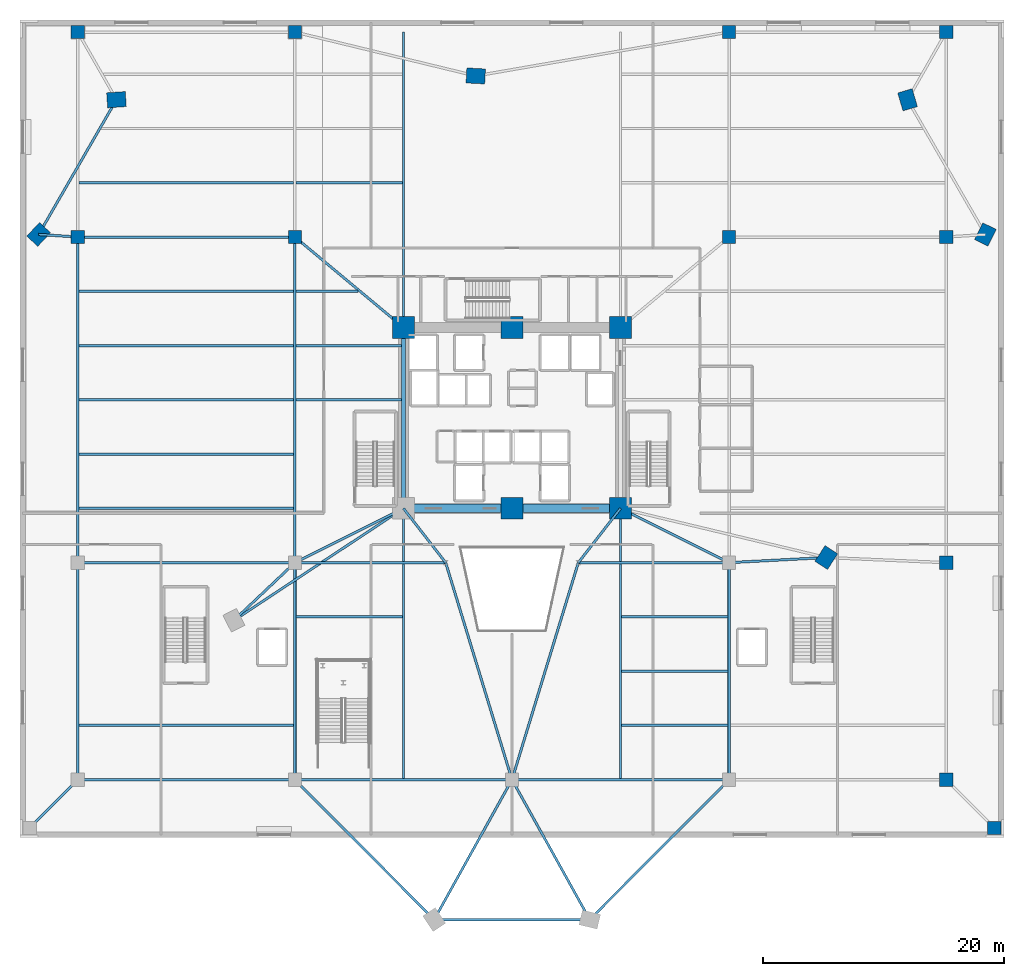
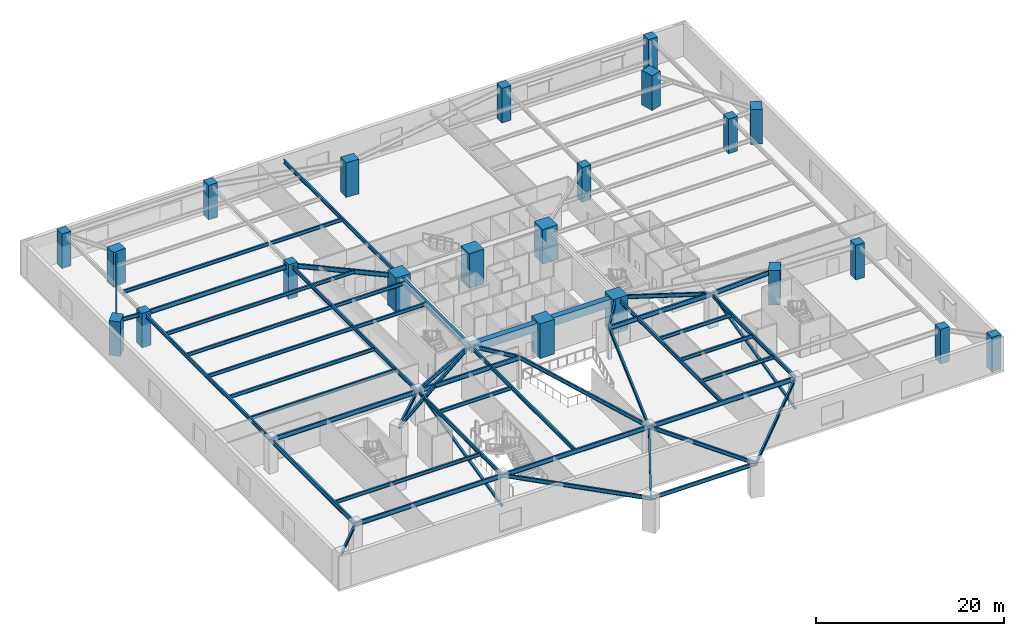
# One storey, part 3 of 16: 51 beams, 22 columns, 2 members.
"""IFC4 building model written with IfcOpenShell, lengths in metres."""

import ifcopenshell
import ifcopenshell.guid

model = None  # the IFC model being written
_history = None  # IfcOwnerHistory: only IFC2X3 demands one
_inside = {}  # id of a spatial element -> (the spatial element, [elements in it])
_under = {}  # id of a project, library or spatial element -> (it, [spatial elements below it])
_declared = {}  # id of a project -> (the project, [libraries it declares])
_typed = {}  # id of a type object -> (the type object, [elements of that type])
_made_of = {}  # id of a material, layer set ... -> (it, [elements and type objects made of it])


def new_model(schema):
    """Start an empty IFC model of exactly this schema.

    Asked for "IFC4X3", IfcOpenShell would pick the latest addendum, in which some entities
    have other attributes; the version numbers below select the first issue.
    IFC2X3 requires an IfcOwnerHistory on every rooted entity: one is made here for all.
    """
    global model, _history
    if schema == "IFC4X3":
        model = ifcopenshell.file(schema_version=(4, 3, 0, 0))
    else:
        model = ifcopenshell.file(schema=schema)
    _inside.clear()
    _under.clear()
    _declared.clear()
    _typed.clear()
    _made_of.clear()
    _history = None
    if model.schema == "IFC2X3":
        org = make("IfcOrganization", Name="unknown")
        user = make(
            "IfcPersonAndOrganization",
            ThePerson=make("IfcPerson", FamilyName="unknown"),
            TheOrganization=org,
        )
        app = make(
            "IfcApplication",
            ApplicationDeveloper=org,
            Version="unknown",
            ApplicationFullName="unknown",
            ApplicationIdentifier="unknown",
        )
        _history = make(
            "IfcOwnerHistory",
            OwningUser=user,
            OwningApplication=app,
            ChangeAction="ADDED",
            CreationDate=0,
        )
    return model


def make(cls, **values):
    """One entity of the class cls with the attributes given. An attribute that is None is left unset."""
    return model.create_entity(
        cls, **{name: value for name, value in values.items() if value is not None}
    )


def rooted(cls, **values):
    """An entity with a GlobalId (a new one), such as an element, a storey or a relation."""
    return make(cls, GlobalId=ifcopenshell.guid.new(), OwnerHistory=_history, **values)


def si_unit(unit_type, name, prefix=None):
    """IfcSIUnit, for example si_unit("LENGTHUNIT", "METRE", prefix="MILLI")."""
    return make("IfcSIUnit", UnitType=unit_type, Prefix=prefix, Name=name)


def assignment(units):
    """IfcUnitAssignment: the units of a project."""
    return None if units is None else make("IfcUnitAssignment", Units=units)


def point(xyz):
    """IfcCartesianPoint."""
    return None if xyz is None else make("IfcCartesianPoint", Coordinates=xyz)


def direction(xyz):
    """IfcDirection."""
    return None if xyz is None else make("IfcDirection", DirectionRatios=xyz)


def frame(location, z_axis=None, x_axis=None):
    """IfcAxis2Placement3D, a coordinate frame: its origin and axes. An axis left out is left unset."""
    return make(
        "IfcAxis2Placement3D",
        Location=point(location),
        Axis=direction(z_axis),
        RefDirection=direction(x_axis),
    )


def frame_2d(location, x_axis=None):
    """IfcAxis2Placement2D, a coordinate frame in the plane: its origin and x axis."""
    return make(
        "IfcAxis2Placement2D", Location=point(location), RefDirection=direction(x_axis)
    )


def origin():
    """The frame at (0, 0, 0) with its axes left unset."""
    return frame((0.0, 0.0, 0.0))


def origin_2d():
    """The frame at (0, 0) in the plane with its x axis left unset."""
    return frame_2d((0.0, 0.0))


def place(relative_to, where):
    """IfcLocalPlacement: puts the frame where relative to a parent placement (None: the world)."""
    return make(
        "IfcLocalPlacement", PlacementRelTo=relative_to, RelativePlacement=where
    )


def context(
    kind, dimensions, precision=None, world=None, true_north=None, identifier=None
):
    """IfcGeometricRepresentationContext, for example the 3D "Model" context."""
    return make(
        "IfcGeometricRepresentationContext",
        ContextIdentifier=identifier,
        ContextType=kind,
        CoordinateSpaceDimension=dimensions,
        Precision=precision,
        WorldCoordinateSystem=world,
        TrueNorth=true_north,
    )


def subcontext(parent, identifier, kind, view, scale=None):
    """IfcGeometricRepresentationSubContext, for example "Body" below "Model"."""
    return make(
        "IfcGeometricRepresentationSubContext",
        ContextIdentifier=identifier,
        ContextType=kind,
        ParentContext=parent,
        TargetScale=scale,
        TargetView=view,
    )


def project(units=None, contexts=None):
    """IfcProject with its units and contexts."""
    return rooted(
        "IfcProject",
        Name="project",
        RepresentationContexts=contexts,
        UnitsInContext=assignment(units),
    )


def spatial(cls, under=None, at=None, **own):
    """A site, building, storey or space (cls), placed at a placement, below another one or the project."""
    s = rooted(cls, ObjectPlacement=at, **own)
    if under is not None:
        _under.setdefault(under.id(), (under, []))[1].append(s)
    return s


def profile(cls, at=None, kind="AREA", **sizes):
    """A parametric profile (cls). Its sizes go by their IFC names, for example OverallWidth=200.0."""
    return make(cls, ProfileType=kind, Position=at, **sizes)


def rectangle(**sizes):
    """IfcRectangleProfileDef."""
    return profile("IfcRectangleProfileDef", **sizes)


def hollow_rectangle(**sizes):
    """IfcRectangleHollowProfileDef."""
    return profile("IfcRectangleHollowProfileDef", **sizes)


def i_section(**sizes):
    """IfcIShapeProfileDef."""
    return profile("IfcIShapeProfileDef", **sizes)


def extrude(swept, where, along, depth):
    """IfcExtrudedAreaSolid: the profile swept, set in the frame where, extruded along a direction by depth."""
    return make(
        "IfcExtrudedAreaSolid",
        SweptArea=swept,
        Position=where,
        ExtrudedDirection=direction(along),
        Depth=depth,
    )


def shape(context_of_items, identifier, shape_type, items):
    """IfcShapeRepresentation: the items that make up one representation, for example the "Body"."""
    return make(
        "IfcShapeRepresentation",
        ContextOfItems=context_of_items,
        RepresentationIdentifier=identifier,
        RepresentationType=shape_type,
        Items=items,
    )


def source(mapping_origin, context_of_items, identifier, shape_type, items):
    """IfcRepresentationMap: a shape defined once, which mapped items show again and again."""
    return make(
        "IfcRepresentationMap",
        MappingOrigin=mapping_origin,
        MappedRepresentation=shape(context_of_items, identifier, shape_type, items),
    )


def transform(
    local_origin,
    x_axis=None,
    y_axis=None,
    z_axis=None,
    scale=None,
    scale2=None,
    scale3=None,
    uniform=True,
):
    """IfcCartesianTransformationOperator3D, or its non-uniform kind. x_axis, y_axis, z_axis: its Axis1, 2, 3."""
    if uniform:
        return make(
            "IfcCartesianTransformationOperator3D",
            Axis1=direction(x_axis),
            Axis2=direction(y_axis),
            LocalOrigin=point(local_origin),
            Scale=scale,
            Axis3=direction(z_axis),
        )
    return make(
        "IfcCartesianTransformationOperator3DnonUniform",
        Axis1=direction(x_axis),
        Axis2=direction(y_axis),
        LocalOrigin=point(local_origin),
        Scale=scale,
        Axis3=direction(z_axis),
        Scale2=scale2,
        Scale3=scale3,
    )


def mapped(mapping_source, mapping_target):
    """IfcMappedItem: shows the shape of a source again, moved by a transform."""
    return make(
        "IfcMappedItem", MappingSource=mapping_source, MappingTarget=mapping_target
    )


def material(Name=None, Category=None):
    """IfcMaterial."""
    return make("IfcMaterial", Name=Name, Category=Category)


def material_profile(
    of_material, cross_section, Name=None, Category=None, Priority=None
):
    """IfcMaterialProfile: a cross section and its material."""
    return make(
        "IfcMaterialProfile",
        Name=Name,
        Material=of_material,
        Profile=cross_section,
        Priority=Priority,
        Category=Category,
    )


def profile_set(profiles, Name=None, composite=None):
    """IfcMaterialProfileSet."""
    return make(
        "IfcMaterialProfileSet",
        Name=Name,
        MaterialProfiles=profiles,
        CompositeProfile=composite,
    )


def made_of(thing, what):
    """Note that an element or type object is made of a material, layer set ...; save() writes the relation."""
    if what is not None:
        _made_of.setdefault(what.id(), (what, []))[1].append(thing)
    return thing


def type_object(cls, material=None, **own):
    """A type object (cls), such as IfcWallType, which elements share."""
    return made_of(rooted(cls, **own), material)


def element(
    cls,
    number,
    at=None,
    inside=None,
    cuts=None,
    type_object=None,
    material=None,
    context=None,
    identifier="Body",
    shape_type=None,
    held_by="IfcProductDefinitionShape",
    body=None,
    shapes=None,
    **own,
):
    """One element of the class cls, such as IfcWall. Its Tag is "e" and its number.

    at: its placement. inside: the storey or other place that contains it. cuts: it is an
    opening in that element (IfcRelVoidsElement). A single representation is given by context,
    identifier, shape_type and body (its items); several are given by shapes. held_by: the class
    of the entity that holds the representations. save() writes the other relations.
    """
    e = rooted(cls, Tag="e%d" % number, ObjectPlacement=at, **own)
    if body is not None:
        shapes = [shape(context, identifier, shape_type, body)]
    if shapes is not None:
        e.Representation = make(held_by, Representations=shapes)
    if inside is not None:
        _inside.setdefault(inside.id(), (inside, []))[1].append(e)
    if cuts is not None:
        rooted(
            "IfcRelVoidsElement", RelatingBuildingElement=cuts, RelatedOpeningElement=e
        )
    if type_object is not None:
        _typed.setdefault(type_object.id(), (type_object, []))[1].append(e)
    return made_of(e, material)


def aggregate(whole, parts):
    """IfcRelAggregates: a whole, such as a stair, and the parts it consists of."""
    return rooted("IfcRelAggregates", RelatingObject=whole, RelatedObjects=parts)


def save(model, path):
    """Write the relations noted so far, then the file.

    IfcRelAggregates (storeys below a building ...), IfcRelContainedInSpatialStructure (elements
    in a storey), IfcRelDefinesByType, IfcRelAssociatesMaterial and IfcRelDeclares: one each for
    every whole, place, type object, material and project.
    """
    for whole, parts in _under.values():
        aggregate(whole, parts)
    for where, things in _inside.values():
        rooted(
            "IfcRelContainedInSpatialStructure",
            RelatedElements=things,
            RelatingStructure=where,
        )
    for kind, things in _typed.values():
        rooted("IfcRelDefinesByType", RelatedObjects=things, RelatingType=kind)
    for what, things in _made_of.values():
        rooted("IfcRelAssociatesMaterial", RelatedObjects=things, RelatingMaterial=what)
    for by, libraries in _declared.values():
        rooted("IfcRelDeclares", RelatingContext=by, RelatedDefinitions=libraries)
    model.write(path)


model = new_model("IFC4")

# Units and contexts
model_context = context("Model", 3, precision=1e-05, world=origin(), true_north=direction((0.0, 1.0)))
body_context = subcontext(model_context, "Body", "Model", "MODEL_VIEW")
ifc_project = project(units=[si_unit("LENGTHUNIT", "METRE"), si_unit("AREAUNIT", "SQUARE_METRE"), si_unit("VOLUMEUNIT", "CUBIC_METRE"), si_unit("PLANEANGLEUNIT", "RADIAN"), si_unit("MASSUNIT", "GRAM", prefix="KILO")], contexts=[model_context])

# Site, building, storey
site_placement = place(None, origin())
site = spatial("IfcSite", under=ifc_project, at=site_placement, CompositionType="ELEMENT")
building_placement = place(site_placement, origin())
building = spatial("IfcBuilding", under=site, at=building_placement, Name="Liaohun Quay Tower", CompositionType="ELEMENT")
storey_placement = place(building_placement, frame((0.0, 0.0, 14.39990234375)))
storey = spatial("IfcBuildingStorey", under=building, at=storey_placement, Name="L04", CompositionType="ELEMENT", Elevation=14.39990234375)

# Columns
ifc_material_1 = material(Name="Concrete C60", Category="concrete")
ifc_material_profile_1 = material_profile(ifc_material_1, rectangle(XDim=1.800048828125, YDim=1.800048828125, at=origin_2d()), Name="RC1800x1800")
ifc_profile_set_1 = profile_set([ifc_material_profile_1], Name="Concrete C60")
column_type_1 = type_object("IfcColumnType", Name="COL-CC-B", PredefinedType="COLUMN", material=ifc_profile_set_1)
shared_shape_1 = source(origin(), body_context, "Body", "SweptSolid", [
    extrude(rectangle(XDim=1.800048828125, YDim=1.800048828125, at=origin_2d()), origin(), (0.0, 0.0, 1.0), 4.5),
])
for number, where, z_axis, x_axis, name in (
    (1, (60.0, 46.5, 0.0), (0.0, 0.0, 1.0), (1.0, 0.0, 0.0), "L04 Core Column CC2"),
    (2, (69.0, 46.5, 0.0), (0.0, 0.0, 1.0), (1.0, 0.0, 0.0), "L04 Core Column CC3"),
    (3, (69.0, 61.5, 0.0), (0.0, 0.0, 1.0), (1.0, 0.0, 0.0), "L04 Core Column CC4"),
    (4, (60.0, 61.5, 0.0), (0.0, 0.0, 1.0), (1.0, 0.0, 0.0), "L04 Core Column CC5"),
    (5, (51.0, 61.5, 0.0), (0.0, 0.0, 1.0), (1.0, 0.0, 0.0), "L04 Core Column CC6"),
):
    element("IfcColumn", number, at=place(storey_placement, frame(where, z_axis=z_axis, x_axis=x_axis)), inside=storey, type_object=column_type_1, Name=name, PredefinedType="COLUMN", context=body_context, shape_type="MappedRepresentation", body=[
        mapped(shared_shape_1, transform((0.0, 0.0, 0.0), x_axis=(1.0, 0.0, 0.0), y_axis=(0.0, 1.0, 0.0), z_axis=(0.0, 0.0, 1.0), scale=1.0)),
    ])
ifc_material_profile_2 = material_profile(ifc_material_1, rectangle(XDim=1.550048828125, YDim=1.25, at=origin_2d()), Name="RC1550x1250")
ifc_profile_set_2 = profile_set([ifc_material_profile_2], Name="Concrete C60")
column_type_2 = type_object("IfcColumnType", Name="COL-PIER-Z1", PredefinedType="COLUMN", material=ifc_profile_set_2)
shared_shape_2 = source(origin(), body_context, "Body", "SweptSolid", [
    extrude(rectangle(XDim=1.550048828125, YDim=1.25, at=origin_2d()), origin(), (0.0, 0.0, 1.0), 4.5),
])
for number, where, z_axis, x_axis, name in (
    (6, (20.748046875, 69.217041015625, 0.0), (0.0, 0.0, 1.0), (0.68936671806, 0.724412539946, 0.0), "L04 Tower Mega-Pier PC03"),
    (7, (27.198974609375, 80.39111328125, 0.0), (0.0, 0.0, 1.0), (0.997824541457, 0.065925597951, 0.0), "L04 Tower Mega-Pier PC05"),
    (8, (92.802978515625, 80.384033203125, 0.0), (0.0, 0.0, 1.0), (-0.282676303383, 0.959215360337, 0.0), "L04 Tower Mega-Pier PC07"),
    (9, (99.256103515625, 69.2119140625, 0.0), (0.0, 0.0, 1.0), (0.441819028143, 0.897104200397, 0.0), "L04 Tower Mega-Pier PC09"),
    (10, (56.9951171875, 82.360107421875, 0.0), (0.0, 0.0, 1.0), (-0.998479491627, 0.055124448298, 0.0), "L04 Tower Mega-Pier PC06"),
    (11, (86.06396484375, 42.423095703125, 0.0), (0.0, 0.0, 1.0), (0.546978918409, 0.837146380758, 0.0), "L04 Tower Mega-Pier PC10"),
):
    element("IfcColumn", number, at=place(storey_placement, frame(where, z_axis=z_axis, x_axis=x_axis)), inside=storey, type_object=column_type_2, Name=name, PredefinedType="COLUMN", context=body_context, shape_type="MappedRepresentation", body=[
        mapped(shared_shape_2, transform((0.0, 0.0, 0.0), x_axis=(1.0, 0.0, 0.0), y_axis=(0.0, 1.0, 0.0), z_axis=(0.0, 0.0, 1.0), scale=1.0)),
    ])
ifc_material_2 = material(Name="Concrete C55", Category="concrete")
ifc_material_profile_3 = material_profile(ifc_material_2, rectangle(XDim=1.10009765625, YDim=1.10009765625, at=origin_2d()), Name="RC1100x1100")
ifc_profile_set_3 = profile_set([ifc_material_profile_3], Name="Concrete C55")
column_type_3 = type_object("IfcColumnType", Name="COL-POD-P", PredefinedType="COLUMN", material=ifc_profile_set_3)
shared_shape_3 = source(origin(), body_context, "Body", "SweptSolid", [
    extrude(rectangle(XDim=1.10009765625, YDim=1.10009765625, at=origin_2d()), origin(), (0.0, 0.0, 1.0), 4.5),
])
for number, where, z_axis, x_axis, name in (
    (12, (96.0, 24.0, 0.0), (0.0, 0.0, 1.0), (1.0, 0.0, 0.0), "L04 Podium Column PG05"),
    (13, (96.0, 42.0, 0.0), (0.0, 0.0, 1.0), (1.0, 0.0, 0.0), "L04 Podium Column PG09"),
    (14, (24.0, 69.0, 0.0), (0.0, 0.0, 1.0), (1.0, 0.0, 0.0), "L04 Podium Column PG10"),
    (15, (42.0, 69.0, 0.0), (0.0, 0.0, 1.0), (1.0, 0.0, 0.0), "L04 Podium Column PG11"),
    (16, (78.0, 69.0, 0.0), (0.0, 0.0, 1.0), (1.0, 0.0, 0.0), "L04 Podium Column PG12"),
    (17, (96.0, 69.0, 0.0), (0.0, 0.0, 1.0), (1.0, 0.0, 0.0), "L04 Podium Column PG13"),
    (18, (24.0, 86.0, 0.0), (0.0, 0.0, 1.0), (1.0, 0.0, 0.0), "L04 Podium Column PG14"),
    (19, (42.0, 86.0, 0.0), (0.0, 0.0, 1.0), (1.0, 0.0, 0.0), "L04 Podium Column PG15"),
    (20, (78.0, 86.0, 0.0), (0.0, 0.0, 1.0), (1.0, 0.0, 0.0), "L04 Podium Column PG17"),
    (21, (96.0, 86.0, 0.0), (0.0, 0.0, 1.0), (1.0, 0.0, 0.0), "L04 Podium Column PG18"),
    (22, (100.0, 20.0, 0.0), (0.0, 0.0, 1.0), (1.0, 0.0, 0.0), "L04 Podium Column PT06"),
):
    element("IfcColumn", number, at=place(storey_placement, frame(where, z_axis=z_axis, x_axis=x_axis)), inside=storey, type_object=column_type_3, Name=name, PredefinedType="COLUMN", context=body_context, shape_type="MappedRepresentation", body=[
        mapped(shared_shape_3, transform((0.0, 0.0, 0.0), x_axis=(1.0, 0.0, 0.0), y_axis=(0.0, 1.0, 0.0), z_axis=(0.0, 0.0, 1.0), scale=1.0)),
    ])

# Beams
ifc_material_profile_4 = material_profile(ifc_material_1, rectangle(XDim=0.699951171875, YDim=1.050048828125, at=origin_2d()), Name="RC700x1050")
ifc_profile_set_4 = profile_set([ifc_material_profile_4], Name="Concrete C60")
beam_type_1 = type_object("IfcBeamType", Name="BM-CPL-1", PredefinedType="LINTEL", material=ifc_profile_set_4)
shared_shape_4 = source(origin(), body_context, "Body", "SweptSolid", [
    extrude(rectangle(XDim=0.699951171875, YDim=1.050048828125, at=origin_2d()), origin(), (0.0, 0.0, 1.0), 9.0),
])
for number, where, z_axis, x_axis, name in (
    (23, (51.0, 46.5, 3.72509765625), (1.0, 0.0, 0.0), (0.0, 1.0, 0.0), "L04 Core Coupling/Ring Beam CC1-CC2"),
    (24, (60.0, 46.5, 3.72509765625), (1.0, 0.0, 0.0), (0.0, 1.0, 0.0), "L04 Core Coupling/Ring Beam CC2-CC3"),
):
    element("IfcBeam", number, at=place(storey_placement, frame(where, z_axis=z_axis, x_axis=x_axis)), inside=storey, type_object=beam_type_1, Name=name, PredefinedType="LINTEL", context=body_context, shape_type="MappedRepresentation", body=[
        mapped(shared_shape_4, transform((0.0, 0.0, 0.0), x_axis=(1.0, 0.0, 0.0), y_axis=(0.0, 1.0, 0.0), z_axis=(0.0, 0.0, 1.0), scale=1.0)),
    ])
ifc_material_3 = material(Name="Steel Q355D", Category="steel")
ifc_material_profile_5 = material_profile(ifc_material_3, i_section(OverallWidth=0.300048828125, OverallDepth=0.800048828125, WebThickness=0.013916015625, FlangeThickness=0.02587890625, at=origin_2d()), Name="HN800x300x14x26")
ifc_profile_set_5 = profile_set([ifc_material_profile_5], Name="Steel Q355D")
beam_type_2 = type_object("IfcBeamType", Name="BM-RAD-M1", PredefinedType="BEAM", material=ifc_profile_set_5)
shared_shape_5 = source(origin(), body_context, "Body", "SweptSolid", [
    extrude(i_section(OverallWidth=0.300048828125, OverallDepth=0.800048828125, WebThickness=0.013916015625, FlangeThickness=0.02587890625, at=origin_2d()), origin(), (0.0, 0.0, 1.0), 15.0),
])
beam_1_placement = place(storey_placement, frame((51.0, 61.5, 3.85009765625), z_axis=(0.0, -1.0, 0.0), x_axis=(1.0, 0.0, 0.0)))
element("IfcBeam", 25, at=beam_1_placement, inside=storey, type_object=beam_type_2, Name="L04 Core Coupling/Ring Beam CC6-CC1", PredefinedType="BEAM", context=body_context, shape_type="MappedRepresentation", body=[
    mapped(shared_shape_5, transform((0.0, 0.0, 0.0), x_axis=(1.0, 0.0, 0.0), y_axis=(0.0, 1.0, 0.0), z_axis=(0.0, 0.0, 1.0), scale=1.0)),
])
ifc_material_profile_6 = material_profile(ifc_material_3, i_section(OverallWidth=0.199951171875, OverallDepth=0.5, WebThickness=0.010009765625, FlangeThickness=0.01611328125, at=origin_2d()), Name="HN500x200x10x16")
ifc_profile_set_6 = profile_set([ifc_material_profile_6], Name="Steel Q355D")
beam_type_3 = type_object("IfcBeamType", Name="BM-POD-G3", PredefinedType="BEAM", material=ifc_profile_set_6)
shared_shape_6 = source(origin(), body_context, "Body", "SweptSolid", [
    extrude(i_section(OverallWidth=0.199951171875, OverallDepth=0.5, WebThickness=0.010009765625, FlangeThickness=0.01611328125, at=origin_2d()), origin(), (0.0, 0.0, 1.0), 27.0),
])
for number, where, z_axis, x_axis, name in (
    (26, (24.0, 42.0, 4.0), (0.0, 1.0, 0.0), (-1.0, 0.0, 0.0), "L04 Primary Grid Girder PG06-PG10"),
    (27, (42.0, 42.0, 4.0), (0.0, 1.0, 0.0), (-1.0, 0.0, 0.0), "L04 Primary Grid Girder PG07-PG11"),
):
    element("IfcBeam", number, at=place(storey_placement, frame(where, z_axis=z_axis, x_axis=x_axis)), inside=storey, type_object=beam_type_3, Name=name, PredefinedType="BEAM", context=body_context, shape_type="MappedRepresentation", body=[
        mapped(shared_shape_6, transform((0.0, 0.0, 0.0), x_axis=(1.0, 0.0, 0.0), y_axis=(0.0, 1.0, 0.0), z_axis=(0.0, 0.0, 1.0), scale=1.0)),
    ])
shared_shape_7 = source(origin(), body_context, "Body", "SweptSolid", [
    extrude(i_section(OverallWidth=0.199951171875, OverallDepth=0.5, WebThickness=0.010009765625, FlangeThickness=0.01611328125, at=origin_2d()), origin(), (0.0, 0.0, 1.0), 18.0),
])
for number, where, z_axis, x_axis, name in (
    (28, (42.0, 24.0, 4.0), (0.0, 1.0, 0.0), (-1.0, 0.0, 0.0), "L04 Primary Grid Girder PG02-PG07"),
    (29, (78.0, 24.0, 4.0), (0.0, 1.0, 0.0), (-1.0, 0.0, 0.0), "L04 Primary Grid Girder PG04-PG08"),
):
    element("IfcBeam", number, at=place(storey_placement, frame(where, z_axis=z_axis, x_axis=x_axis)), inside=storey, type_object=beam_type_3, Name=name, PredefinedType="BEAM", context=body_context, shape_type="MappedRepresentation", body=[
        mapped(shared_shape_7, transform((0.0, 0.0, 0.0), x_axis=(1.0, 0.0, 0.0), y_axis=(0.0, 1.0, 0.0), z_axis=(0.0, 0.0, 1.0), scale=1.0)),
    ])
shared_shape_8 = source(origin(), body_context, "Body", "SweptSolid", [
    extrude(i_section(OverallWidth=0.199951171875, OverallDepth=0.5, WebThickness=0.010009765625, FlangeThickness=0.01611328125, at=origin_2d()), origin(), (0.0, 0.0, 1.0), 10.062255859375),
])
for number, where, z_axis, x_axis, name in (
    (30, (42.0, 42.0, 4.0), (0.894427191, 0.4472135955, 0.0), (-0.4472135955, 0.894427191, 0.0), "L04 Primary Grid Girder PG07-CC1"),
    (31, (78.0, 42.0, 4.0), (-0.894427191, 0.4472135955, 0.0), (-0.4472135955, -0.894427191, 0.0), "L04 Primary Grid Girder PG08-CC3"),
):
    element("IfcBeam", number, at=place(storey_placement, frame(where, z_axis=z_axis, x_axis=x_axis)), inside=storey, type_object=beam_type_3, Name=name, PredefinedType="BEAM", context=body_context, shape_type="MappedRepresentation", body=[
        mapped(shared_shape_8, transform((0.0, 0.0, 0.0), x_axis=(1.0, 0.0, 0.0), y_axis=(0.0, 1.0, 0.0), z_axis=(0.0, 0.0, 1.0), scale=1.0)),
    ])
shared_shape_9 = source(origin(), body_context, "Body", "SweptSolid", [
    extrude(i_section(OverallWidth=0.199951171875, OverallDepth=0.5, WebThickness=0.010009765625, FlangeThickness=0.01611328125, at=origin_2d()), origin(), (0.0, 0.0, 1.0), 18.821533203125),
])
for number, where, z_axis, x_axis, name in (
    (32, (60.0, 24.0, 4.0), (-0.292218535599, 0.956351571051, 0.0), (-0.956351571051, -0.292218535599, 0.0), "L04 Primary Grid Girder PG03-AT1"),
    (33, (60.0, 24.0, 4.0), (0.292218535599, 0.956351571051, 0.0), (-0.956351571051, 0.292218535599, 0.0), "L04 Primary Grid Girder PG03-AT2"),
):
    element("IfcBeam", number, at=place(storey_placement, frame(where, z_axis=z_axis, x_axis=x_axis)), inside=storey, type_object=beam_type_3, Name=name, PredefinedType="BEAM", context=body_context, shape_type="MappedRepresentation", body=[
        mapped(shared_shape_9, transform((0.0, 0.0, 0.0), x_axis=(1.0, 0.0, 0.0), y_axis=(0.0, 1.0, 0.0), z_axis=(0.0, 0.0, 1.0), scale=1.0)),
    ])
shared_shape_10 = source(origin(), body_context, "Body", "SweptSolid", [
    extrude(i_section(OverallWidth=0.199951171875, OverallDepth=0.5, WebThickness=0.010009765625, FlangeThickness=0.01611328125, at=origin_2d()), origin(), (0.0, 0.0, 1.0), 5.700927734375),
])
for number, where, z_axis, x_axis, name in (
    (34, (54.5, 42.0, 4.0), (-0.613940613515, 0.789352217376, 0.0), (-0.789352217376, -0.613940613515, 0.0), "L04 Primary Grid Girder AT1-CC1"),
    (35, (65.5, 42.0, 4.0), (0.613940613515, 0.789352217376, 0.0), (-0.789352217376, 0.613940613515, 0.0), "L04 Primary Grid Girder AT2-CC3"),
):
    element("IfcBeam", number, at=place(storey_placement, frame(where, z_axis=z_axis, x_axis=x_axis)), inside=storey, type_object=beam_type_3, Name=name, PredefinedType="BEAM", context=body_context, shape_type="MappedRepresentation", body=[
        mapped(shared_shape_10, transform((0.0, 0.0, 0.0), x_axis=(1.0, 0.0, 0.0), y_axis=(0.0, 1.0, 0.0), z_axis=(0.0, 0.0, 1.0), scale=1.0)),
    ])
shared_shape_11 = source(origin(), body_context, "Body", "SweptSolid", [
    extrude(i_section(OverallWidth=0.199951171875, OverallDepth=0.5, WebThickness=0.010009765625, FlangeThickness=0.01611328125, at=origin_2d()), origin(), (0.0, 0.0, 1.0), 16.368896484375),
])
beam_2_placement = place(storey_placement, frame((53.5458984375, 12.39697265625, 4.0), z_axis=(-0.705359574392, 0.708849681395, 0.0), x_axis=(-0.708849681395, -0.705359574392, 0.0)))
element("IfcBeam", 36, at=beam_2_placement, inside=storey, type_object=beam_type_3, Name="L04 Primary Grid Girder PC01-PG02", PredefinedType="BEAM", context=body_context, shape_type="MappedRepresentation", body=[
    mapped(shared_shape_11, transform((0.0, 0.0, 0.0), x_axis=(1.0, 0.0, 0.0), y_axis=(0.0, 1.0, 0.0), z_axis=(0.0, 0.0, 1.0), scale=1.0)),
])
shared_shape_12 = source(origin(), body_context, "Body", "SweptSolid", [
    extrude(i_section(OverallWidth=0.199951171875, OverallDepth=0.5, WebThickness=0.010009765625, FlangeThickness=0.01611328125, at=origin_2d()), origin(), (0.0, 0.0, 1.0), 13.27734375),
])
beam_3_placement = place(storey_placement, frame((53.5458984375, 12.39697265625, 4.0), z_axis=(0.486101867227, 0.87390215395, 0.0), x_axis=(-0.87390215395, 0.486101867227, 0.0)))
element("IfcBeam", 37, at=beam_3_placement, inside=storey, type_object=beam_type_3, Name="L04 Primary Grid Girder PC01-PG03", PredefinedType="BEAM", context=body_context, shape_type="MappedRepresentation", body=[
    mapped(shared_shape_12, transform((0.0, 0.0, 0.0), x_axis=(1.0, 0.0, 0.0), y_axis=(0.0, 1.0, 0.0), z_axis=(0.0, 0.0, 1.0), scale=1.0)),
])
shared_shape_13 = source(origin(), body_context, "Body", "SweptSolid", [
    extrude(i_section(OverallWidth=0.199951171875, OverallDepth=0.5, WebThickness=0.010009765625, FlangeThickness=0.01611328125, at=origin_2d()), origin(), (0.0, 0.0, 1.0), 13.272705078125),
])
beam_4_placement = place(storey_placement, frame((66.447998046875, 12.39892578125, 4.0), z_axis=(-0.485813156466, 0.874062684826, 0.0), x_axis=(-0.874062684826, -0.485813156466, 0.0)))
element("IfcBeam", 38, at=beam_4_placement, inside=storey, type_object=beam_type_3, Name="L04 Primary Grid Girder PC11-PG03", PredefinedType="BEAM", context=body_context, shape_type="MappedRepresentation", body=[
    mapped(shared_shape_13, transform((0.0, 0.0, 0.0), x_axis=(1.0, 0.0, 0.0), y_axis=(0.0, 1.0, 0.0), z_axis=(0.0, 0.0, 1.0), scale=1.0)),
])
shared_shape_14 = source(origin(), body_context, "Body", "SweptSolid", [
    extrude(i_section(OverallWidth=0.199951171875, OverallDepth=0.5, WebThickness=0.010009765625, FlangeThickness=0.01611328125, at=origin_2d()), origin(), (0.0, 0.0, 1.0), 16.371826171875),
])
beam_5_placement = place(storey_placement, frame((66.447998046875, 12.39892578125, 4.0), z_axis=(0.705606504265, 0.708603881685, 0.0), x_axis=(-0.708603881685, 0.705606504265, 0.0)))
element("IfcBeam", 39, at=beam_5_placement, inside=storey, type_object=beam_type_3, Name="L04 Primary Grid Girder PC11-PG04", PredefinedType="BEAM", context=body_context, shape_type="MappedRepresentation", body=[
    mapped(shared_shape_14, transform((0.0, 0.0, 0.0), x_axis=(1.0, 0.0, 0.0), y_axis=(0.0, 1.0, 0.0), z_axis=(0.0, 0.0, 1.0), scale=1.0)),
])
shared_shape_15 = source(origin(), body_context, "Body", "SweptSolid", [
    extrude(i_section(OverallWidth=0.199951171875, OverallDepth=0.5, WebThickness=0.010009765625, FlangeThickness=0.01611328125, at=origin_2d()), origin(), (0.0, 0.0, 1.0), 12.902099609375),
])
beam_6_placement = place(storey_placement, frame((53.5458984375, 12.39697265625, 4.0), z_axis=(0.999999988542, 0.000151380398, 0.0), x_axis=(-0.000151380398, 0.999999988542, 0.0)))
element("IfcBeam", 40, at=beam_6_placement, inside=storey, type_object=beam_type_3, Name="L04 Primary Grid Girder PC01-PC11", PredefinedType="BEAM", context=body_context, shape_type="MappedRepresentation", body=[
    mapped(shared_shape_15, transform((0.0, 0.0, 0.0), x_axis=(1.0, 0.0, 0.0), y_axis=(0.0, 1.0, 0.0), z_axis=(0.0, 0.0, 1.0), scale=1.0)),
])
shared_shape_16 = source(origin(), body_context, "Body", "SweptSolid", [
    extrude(i_section(OverallWidth=0.199951171875, OverallDepth=0.5, WebThickness=0.010009765625, FlangeThickness=0.01611328125, at=origin_2d()), origin(), (0.0, 0.0, 1.0), 6.962158203125),
])
beam_7_placement = place(storey_placement, frame((36.94091796875, 37.217041015625, 4.0), z_axis=(0.726659067673, 0.686998252813, 0.0), x_axis=(-0.686998252813, 0.726659067673, 0.0)))
element("IfcBeam", 41, at=beam_7_placement, inside=storey, type_object=beam_type_3, Name="L04 Primary Grid Girder PC02-PG07", PredefinedType="BEAM", context=body_context, shape_type="MappedRepresentation", body=[
    mapped(shared_shape_16, transform((0.0, 0.0, 0.0), x_axis=(1.0, 0.0, 0.0), y_axis=(0.0, 1.0, 0.0), z_axis=(0.0, 0.0, 1.0), scale=1.0)),
])
shared_shape_17 = source(origin(), body_context, "Body", "SweptSolid", [
    extrude(i_section(OverallWidth=0.199951171875, OverallDepth=0.5, WebThickness=0.010009765625, FlangeThickness=0.01611328125, at=origin_2d()), origin(), (0.0, 0.0, 1.0), 16.84716796875),
])
beam_8_placement = place(storey_placement, frame((36.94091796875, 37.217041015625, 4.0), z_axis=(0.834501195619, 0.551006129285, 0.0), x_axis=(-0.551006129285, 0.834501195619, 0.0)))
element("IfcBeam", 42, at=beam_8_placement, inside=storey, type_object=beam_type_3, Name="L04 Primary Grid Girder PC02-CC1", PredefinedType="BEAM", context=body_context, shape_type="MappedRepresentation", body=[
    mapped(shared_shape_17, transform((0.0, 0.0, 0.0), x_axis=(1.0, 0.0, 0.0), y_axis=(0.0, 1.0, 0.0), z_axis=(0.0, 0.0, 1.0), scale=1.0)),
])
shared_shape_18 = source(origin(), body_context, "Body", "SweptSolid", [
    extrude(i_section(OverallWidth=0.199951171875, OverallDepth=0.5, WebThickness=0.010009765625, FlangeThickness=0.01611328125, at=origin_2d()), origin(), (0.0, 0.0, 1.0), 3.25927734375),
])
beam_9_placement = place(storey_placement, frame((20.748046875, 69.217041015625, 4.0), z_axis=(0.997780183272, -0.066593587307, 0.0), x_axis=(0.066593587307, 0.997780183272, 0.0)))
element("IfcBeam", 43, at=beam_9_placement, inside=storey, type_object=beam_type_3, Name="L04 Primary Grid Girder PC03-PG10", PredefinedType="BEAM", context=body_context, shape_type="MappedRepresentation", body=[
    mapped(shared_shape_18, transform((0.0, 0.0, 0.0), x_axis=(1.0, 0.0, 0.0), y_axis=(0.0, 1.0, 0.0), z_axis=(0.0, 0.0, 1.0), scale=1.0)),
])
shared_shape_19 = source(origin(), body_context, "Body", "SweptSolid", [
    extrude(i_section(OverallWidth=0.199951171875, OverallDepth=0.5, WebThickness=0.010009765625, FlangeThickness=0.01611328125, at=origin_2d()), origin(), (0.0, 0.0, 1.0), 12.902587890625),
])
beam_10_placement = place(storey_placement, frame((20.748046875, 69.217041015625, 4.0), z_axis=(0.49997524318, 0.866039696669, 0.0), x_axis=(-0.866039696669, 0.49997524318, 0.0)))
element("IfcBeam", 44, at=beam_10_placement, inside=storey, type_object=beam_type_3, Name="L04 Primary Grid Girder PC03-PC05", PredefinedType="BEAM", context=body_context, shape_type="MappedRepresentation", body=[
    mapped(shared_shape_19, transform((0.0, 0.0, 0.0), x_axis=(1.0, 0.0, 0.0), y_axis=(0.0, 1.0, 0.0), z_axis=(0.0, 0.0, 1.0), scale=1.0)),
])
shared_shape_20 = source(origin(), body_context, "Body", "SweptSolid", [
    extrude(i_section(OverallWidth=0.199951171875, OverallDepth=0.5, WebThickness=0.010009765625, FlangeThickness=0.01611328125, at=origin_2d()), origin(), (0.0, 0.0, 1.0), 5.65673828125),
])
beam_11_placement = place(storey_placement, frame((20.0, 20.0, 4.0), z_axis=(0.707106781187, 0.707106781187, 0.0), x_axis=(-0.707106781187, 0.707106781187, 0.0)))
element("IfcBeam", 45, at=beam_11_placement, inside=storey, type_object=beam_type_3, Name="L04 Perimeter Tie Girder PT05-PG01", PredefinedType="BEAM", context=body_context, shape_type="MappedRepresentation", body=[
    mapped(shared_shape_20, transform((0.0, 0.0, 0.0), x_axis=(1.0, 0.0, 0.0), y_axis=(0.0, 1.0, 0.0), z_axis=(0.0, 0.0, 1.0), scale=1.0)),
])
ifc_material_profile_7 = material_profile(ifc_material_3, i_section(OverallWidth=0.199951171875, OverallDepth=0.449951171875, WebThickness=0.009033203125, FlangeThickness=0.013916015625, at=origin_2d()), Name="HN450x200x9x14")
ifc_profile_set_7 = profile_set([ifc_material_profile_7], Name="Steel Q355D")
beam_type_4 = type_object("IfcBeamType", Name="BM-SEC-J1", PredefinedType="JOIST", material=ifc_profile_set_7)
shared_shape_21 = source(origin(), body_context, "Body", "SweptSolid", [
    extrude(i_section(OverallWidth=0.199951171875, OverallDepth=0.449951171875, WebThickness=0.009033203125, FlangeThickness=0.013916015625, at=origin_2d()), origin(), (0.0, 0.0, 1.0), 8.7998046875),
])
for number, where, z_axis, x_axis, name in (
    (46, (42.10009765625, 37.5, 4.025146484375), (1.0, 0.0, 0.0), (0.0, 1.0, 0.0), "L04 Composite Floor Joist SJ-14"),
    (47, (42.10009765625, 73.5, 4.025146484375), (1.0, 0.0, 0.0), (0.0, 1.0, 0.0), "L04 Composite Floor Joist SJ-20"),
    (48, (69.10009765625, 28.5, 4.025146484375), (1.0, 0.0, 0.0), (0.0, 1.0, 0.0), "L04 Composite Floor Joist SJ-23"),
    (49, (69.10009765625, 33.0, 4.025146484375), (1.0, 0.0, 0.0), (0.0, 1.0, 0.0), "L04 Composite Floor Joist SJ-24"),
    (50, (69.10009765625, 37.5, 4.025146484375), (1.0, 0.0, 0.0), (0.0, 1.0, 0.0), "L04 Composite Floor Joist SJ-25"),
):
    element("IfcBeam", number, at=place(storey_placement, frame(where, z_axis=z_axis, x_axis=x_axis)), inside=storey, type_object=beam_type_4, Name=name, PredefinedType="JOIST", context=body_context, shape_type="MappedRepresentation", body=[
        mapped(shared_shape_21, transform((0.0, 0.0, 0.0), x_axis=(1.0, 0.0, 0.0), y_axis=(0.0, 1.0, 0.0), z_axis=(0.0, 0.0, 1.0), scale=1.0)),
    ])
shared_shape_22 = source(origin(), body_context, "Body", "SweptSolid", [
    extrude(i_section(OverallWidth=0.199951171875, OverallDepth=0.449951171875, WebThickness=0.009033203125, FlangeThickness=0.013916015625, at=origin_2d()), origin(), (0.0, 0.0, 1.0), 17.7998046875),
])
for number, where, z_axis, x_axis, name in (
    (51, (24.10009765625, 28.5, 4.025146484375), (1.0, 0.0, 0.0), (0.0, 1.0, 0.0), "L04 Composite Floor Joist SJ-01"),
    (52, (24.10009765625, 46.5, 4.025146484375), (1.0, 0.0, 0.0), (0.0, 1.0, 0.0), "L04 Composite Floor Joist SJ-04"),
    (53, (24.10009765625, 51.0, 4.025146484375), (1.0, 0.0, 0.0), (0.0, 1.0, 0.0), "L04 Composite Floor Joist SJ-05"),
    (54, (24.10009765625, 55.5, 4.025146484375), (1.0, 0.0, 0.0), (0.0, 1.0, 0.0), "L04 Composite Floor Joist SJ-06"),
    (55, (24.10009765625, 60.0, 4.025146484375), (1.0, 0.0, 0.0), (0.0, 1.0, 0.0), "L04 Composite Floor Joist SJ-07"),
    (56, (24.10009765625, 64.5, 4.025146484375), (1.0, 0.0, 0.0), (0.0, 1.0, 0.0), "L04 Composite Floor Joist SJ-08"),
    (57, (24.10009765625, 73.5, 4.025146484375), (1.0, 0.0, 0.0), (0.0, 1.0, 0.0), "L04 Composite Floor Joist SJ-09"),
):
    element("IfcBeam", number, at=place(storey_placement, frame(where, z_axis=z_axis, x_axis=x_axis)), inside=storey, type_object=beam_type_4, Name=name, PredefinedType="JOIST", context=body_context, shape_type="MappedRepresentation", body=[
        mapped(shared_shape_22, transform((0.0, 0.0, 0.0), x_axis=(1.0, 0.0, 0.0), y_axis=(0.0, 1.0, 0.0), z_axis=(0.0, 0.0, 1.0), scale=1.0)),
    ])
shared_shape_23 = source(origin(), body_context, "Body", "SweptSolid", [
    extrude(i_section(OverallWidth=0.199951171875, OverallDepth=0.449951171875, WebThickness=0.009033203125, FlangeThickness=0.013916015625, at=origin_2d()), origin(), (0.0, 0.0, 1.0), 8.75),
])
for number, where, z_axis, x_axis, name in (
    (58, (42.10009765625, 55.5, 4.025146484375), (1.0, 0.0, 0.0), (0.0, 1.0, 0.0), "L04 Composite Floor Joist SJ-17"),
    (59, (42.10009765625, 60.0, 4.025146484375), (1.0, 0.0, 0.0), (0.0, 1.0, 0.0), "L04 Composite Floor Joist SJ-18"),
):
    element("IfcBeam", number, at=place(storey_placement, frame(where, z_axis=z_axis, x_axis=x_axis)), inside=storey, type_object=beam_type_4, Name=name, PredefinedType="JOIST", context=body_context, shape_type="MappedRepresentation", body=[
        mapped(shared_shape_23, transform((0.0, 0.0, 0.0), x_axis=(1.0, 0.0, 0.0), y_axis=(0.0, 1.0, 0.0), z_axis=(0.0, 0.0, 1.0), scale=1.0)),
    ])
ifc_material_profile_8 = material_profile(ifc_material_3, i_section(OverallWidth=0.199951171875, OverallDepth=0.60009765625, WebThickness=0.010986328125, FlangeThickness=0.01708984375, at=origin_2d()), Name="HN600x200x11x17")
ifc_profile_set_8 = profile_set([ifc_material_profile_8], Name="Steel Q355D")
beam_type_5 = type_object("IfcBeamType", Name="BM-POD-G1", PredefinedType="BEAM", material=ifc_profile_set_8)
shared_shape_24 = source(origin(), body_context, "Body", "SweptSolid", [
    extrude(i_section(OverallWidth=0.199951171875, OverallDepth=0.60009765625, WebThickness=0.010986328125, FlangeThickness=0.01708984375, at=origin_2d()), origin(), (0.0, 0.0, 1.0), 18.0),
])
for number, where, z_axis, x_axis, name in (
    (60, (24.0, 24.0, 3.9501953125), (1.0, 0.0, 0.0), (0.0, 1.0, 0.0), "L04 Primary Grid Girder PG01-PG02"),
    (61, (42.0, 24.0, 3.9501953125), (1.0, 0.0, 0.0), (0.0, 1.0, 0.0), "L04 Primary Grid Girder PG02-PG03"),
    (62, (60.0, 24.0, 3.9501953125), (1.0, 0.0, 0.0), (0.0, 1.0, 0.0), "L04 Primary Grid Girder PG03-PG04"),
    (63, (24.0, 42.0, 3.9501953125), (1.0, 0.0, 0.0), (0.0, 1.0, 0.0), "L04 Primary Grid Girder PG06-PG07"),
    (64, (24.0, 69.0, 3.9501953125), (1.0, 0.0, 0.0), (0.0, 1.0, 0.0), "L04 Primary Grid Girder PG10-PG11"),
    (65, (24.0, 24.0, 3.9501953125), (0.0, 1.0, 0.0), (-1.0, 0.0, 0.0), "L04 Primary Grid Girder PG01-PG06"),
):
    element("IfcBeam", number, at=place(storey_placement, frame(where, z_axis=z_axis, x_axis=x_axis)), inside=storey, type_object=beam_type_5, Name=name, PredefinedType="BEAM", context=body_context, shape_type="MappedRepresentation", body=[
        mapped(shared_shape_24, transform((0.0, 0.0, 0.0), x_axis=(1.0, 0.0, 0.0), y_axis=(0.0, 1.0, 0.0), z_axis=(0.0, 0.0, 1.0), scale=1.0)),
    ])
shared_shape_25 = source(origin(), body_context, "Body", "SweptSolid", [
    extrude(i_section(OverallWidth=0.199951171875, OverallDepth=0.60009765625, WebThickness=0.010986328125, FlangeThickness=0.01708984375, at=origin_2d()), origin(), (0.0, 0.0, 1.0), 12.5),
])
for number, where, z_axis, x_axis, name in (
    (66, (42.0, 42.0, 3.9501953125), (1.0, 0.0, 0.0), (0.0, 1.0, 0.0), "L04 Primary Grid Girder PG07-AT1"),
    (67, (65.5, 42.0, 3.9501953125), (1.0, 0.0, 0.0), (0.0, 1.0, 0.0), "L04 Primary Grid Girder AT2-PG08"),
):
    element("IfcBeam", number, at=place(storey_placement, frame(where, z_axis=z_axis, x_axis=x_axis)), inside=storey, type_object=beam_type_5, Name=name, PredefinedType="BEAM", context=body_context, shape_type="MappedRepresentation", body=[
        mapped(shared_shape_25, transform((0.0, 0.0, 0.0), x_axis=(1.0, 0.0, 0.0), y_axis=(0.0, 1.0, 0.0), z_axis=(0.0, 0.0, 1.0), scale=1.0)),
    ])
shared_shape_26 = source(origin(), body_context, "Body", "SweptSolid", [
    extrude(i_section(OverallWidth=0.199951171875, OverallDepth=0.60009765625, WebThickness=0.010986328125, FlangeThickness=0.01708984375, at=origin_2d()), origin(), (0.0, 0.0, 1.0), 8.074951171875),
])
beam_12_placement = place(storey_placement, frame((78.0, 42.0, 3.9501953125), z_axis=(0.998626418426, 0.052395385502, 0.0), x_axis=(-0.052395385502, 0.998626418426, 0.0)))
element("IfcBeam", 68, at=beam_12_placement, inside=storey, type_object=beam_type_5, Name="L04 Primary Grid Girder PG08-PC10", PredefinedType="BEAM", context=body_context, shape_type="MappedRepresentation", body=[
    mapped(shared_shape_26, transform((0.0, 0.0, 0.0), x_axis=(1.0, 0.0, 0.0), y_axis=(0.0, 1.0, 0.0), z_axis=(0.0, 0.0, 1.0), scale=1.0)),
])
shared_shape_27 = source(origin(), body_context, "Body", "SweptSolid", [
    extrude(i_section(OverallWidth=0.199951171875, OverallDepth=0.60009765625, WebThickness=0.010986328125, FlangeThickness=0.01708984375, at=origin_2d()), origin(), (0.0, 0.0, 1.0), 11.71533203125),
])
beam_13_placement = place(storey_placement, frame((42.0, 69.0, 3.9501953125), z_axis=(0.768221279597, -0.640184399664, 0.0), x_axis=(0.640184399664, 0.768221279597, 0.0)))
element("IfcBeam", 69, at=beam_13_placement, inside=storey, type_object=beam_type_5, Name="L04 Primary Grid Girder PG11-CC6", PredefinedType="BEAM", context=body_context, shape_type="MappedRepresentation", body=[
    mapped(shared_shape_27, transform((0.0, 0.0, 0.0), x_axis=(1.0, 0.0, 0.0), y_axis=(0.0, 1.0, 0.0), z_axis=(0.0, 0.0, 1.0), scale=1.0)),
])
shared_shape_28 = source(origin(), body_context, "Body", "SweptSolid", [
    extrude(i_section(OverallWidth=0.199951171875, OverallDepth=0.449951171875, WebThickness=0.009033203125, FlangeThickness=0.013916015625, at=origin_2d()), origin(), (0.0, 0.0, 1.0), 5.143798828125),
])
beam_14_placement = place(storey_placement, frame((42.10009765625, 64.5, 4.025146484375), z_axis=(1.0, 0.0, 0.0), x_axis=(0.0, 1.0, 0.0)))
element("IfcBeam", 70, at=beam_14_placement, inside=storey, type_object=beam_type_4, Name="L04 Composite Floor Joist SJ-19", PredefinedType="JOIST", context=body_context, shape_type="MappedRepresentation", body=[
    mapped(shared_shape_28, transform((0.0, 0.0, 0.0), x_axis=(1.0, 0.0, 0.0), y_axis=(0.0, 1.0, 0.0), z_axis=(0.0, 0.0, 1.0), scale=1.0)),
])

# Members
ifc_material_profile_9 = material_profile(ifc_material_3, hollow_rectangle(XDim=0.25, YDim=0.25, WallThickness=0.011962890625, at=origin_2d()), Name="SHS250x250x12")
ifc_profile_set_9 = profile_set([ifc_material_profile_9], Name="Steel Q355D")
member_type = type_object("IfcMemberType", Name="MEM-ATR-STR", PredefinedType="STRINGER", material=ifc_profile_set_9)
shared_shape_29 = source(origin(), body_context, "Body", "SweptSolid", [
    extrude(hollow_rectangle(XDim=0.25, YDim=0.25, WallThickness=0.011962890625, at=origin_2d()), origin(), (0.0, 0.0, 1.0), 18.48583984375),
])
for number, where, z_axis, x_axis, name in (
    (71, (42.0, 24.0, 0.02001953125), (0.0, 0.973721837383, 0.227740605521), (-1.0, 0.0, 0.0), "L04 Atrium Gallery Raking Stringer Tie AS-1-1"),
    (72, (78.0, 24.0, 0.02001953125), (0.0, 0.973721837383, 0.227740605521), (-1.0, 0.0, 0.0), "L04 Atrium Gallery Raking Stringer Tie AS-1-2"),
):
    element("IfcMember", number, at=place(storey_placement, frame(where, z_axis=z_axis, x_axis=x_axis)), inside=storey, type_object=member_type, Name=name, PredefinedType="STRINGER", context=body_context, shape_type="MappedRepresentation", body=[
        mapped(shared_shape_29, transform((0.0, 0.0, 0.0), x_axis=(1.0, 0.0, 0.0), y_axis=(0.0, 1.0, 0.0), z_axis=(0.0, 0.0, 1.0), scale=1.0)),
    ])

# Beams
shared_shape_30 = source(origin(), body_context, "Body", "SweptSolid", [
    extrude(i_section(OverallWidth=0.199951171875, OverallDepth=0.5, WebThickness=0.010009765625, FlangeThickness=0.01611328125, at=origin_2d()), origin(), (0.0, 0.0, 1.0), 22.5),
])
for number, where, z_axis, x_axis, name in (
    (73, (51.0, 24.0, 4.0), (0.0, 1.0, 0.0), (-1.0, 0.0, 0.0), "L04 Spine Girder X51-S"),
    (74, (69.0, 24.0, 4.0), (0.0, 1.0, 0.0), (-1.0, 0.0, 0.0), "L04 Spine Girder X69-S"),
):
    element("IfcBeam", number, at=place(storey_placement, frame(where, z_axis=z_axis, x_axis=x_axis)), inside=storey, type_object=beam_type_3, Name=name, PredefinedType="BEAM", context=body_context, shape_type="MappedRepresentation", body=[
        mapped(shared_shape_30, transform((0.0, 0.0, 0.0), x_axis=(1.0, 0.0, 0.0), y_axis=(0.0, 1.0, 0.0), z_axis=(0.0, 0.0, 1.0), scale=1.0)),
    ])
shared_shape_31 = source(origin(), body_context, "Body", "SweptSolid", [
    extrude(i_section(OverallWidth=0.199951171875, OverallDepth=0.5, WebThickness=0.010009765625, FlangeThickness=0.01611328125, at=origin_2d()), origin(), (0.0, 0.0, 1.0), 24.5),
])
beam_15_placement = place(storey_placement, frame((51.0, 61.5, 4.0), z_axis=(0.0, 1.0, 0.0), x_axis=(-1.0, 0.0, 0.0)))
element("IfcBeam", 75, at=beam_15_placement, inside=storey, type_object=beam_type_3, Name="L04 Spine Girder X51-N", PredefinedType="BEAM", context=body_context, shape_type="MappedRepresentation", body=[
    mapped(shared_shape_31, transform((0.0, 0.0, 0.0), x_axis=(1.0, 0.0, 0.0), y_axis=(0.0, 1.0, 0.0), z_axis=(0.0, 0.0, 1.0), scale=1.0)),
])

save(model, "model.ifc")
